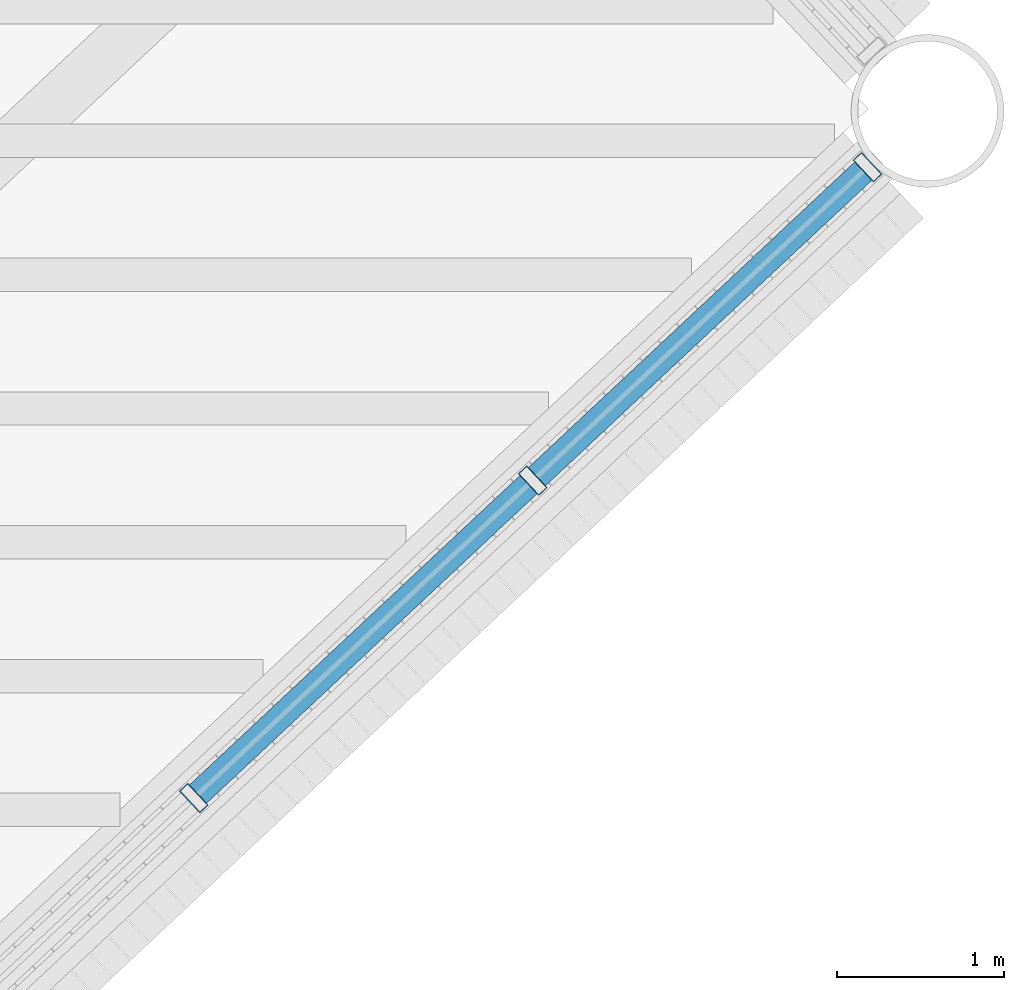
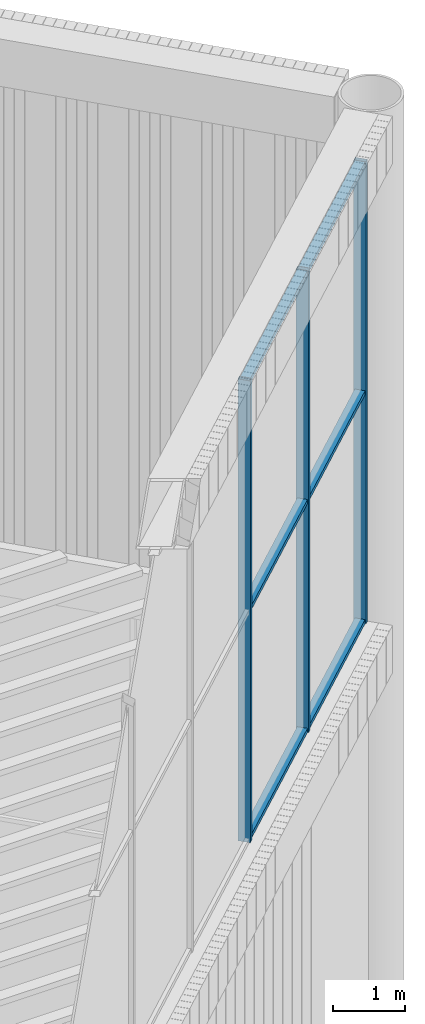
# One storey, part 67 of 117: 9 members, 1 element without a shape of its own.
"""IFC4 building model written with IfcOpenShell, lengths in metres."""

from ifc_helpers import new_model, si_unit, direction, frame, origin, origin_2d, place, context, subcontext, project, spatial, hollow_rectangle, extrude, material, layer, layer_set, material_profile, profile_set, type_object, element, aggregate, save


model = new_model("IFC4")

# Units and contexts
model_context = context("Model", 3, precision=1e-05, world=origin(), true_north=direction((0.0, 1.0)))
body_context = subcontext(model_context, "Body", "Model", "MODEL_VIEW")
ifc_project = project(units=[si_unit("LENGTHUNIT", "METRE"), si_unit("AREAUNIT", "SQUARE_METRE"), si_unit("VOLUMEUNIT", "CUBIC_METRE"), si_unit("PLANEANGLEUNIT", "RADIAN"), si_unit("MASSUNIT", "GRAM", prefix="KILO")], contexts=[model_context])

# Site, building, storey
site_placement = place(None, origin())
site = spatial("IfcSite", under=ifc_project, at=site_placement, CompositionType="ELEMENT")
building_placement = place(site_placement, origin())
building = spatial("IfcBuilding", under=site, at=building_placement, Name="Tarsis Ring Headquarters", CompositionType="ELEMENT")
storey_placement = place(building_placement, frame((0.0, 0.0, 403.60009765625)))
storey = spatial("IfcBuildingStorey", under=building, at=storey_placement, Name="L95", CompositionType="ELEMENT", Elevation=403.60009765625)

# Curtain wall, members
ifc_material_1 = material(Name="Aluminium curtain wall", Category="aluminium")
ifc_layer = layer(ifc_material_1, 0.179931640625)
ifc_layer_set = layer_set([ifc_layer], Name="Curtain wall crown glazing")
curtain_wall_type = type_object("IfcCurtainWallType", Name="Curtain wall crown glazing", PredefinedType="NOTDEFINED", material=ifc_layer_set)
curtain_wall_placement = place(storey_placement, origin())
curtain_wall = element("IfcCurtainWall", 1, at=curtain_wall_placement, inside=storey, type_object=curtain_wall_type, Name="Crown glazing U4", PredefinedType="NOTDEFINED")
ifc_material_2 = material(Name="Aluminium mullion", Category="aluminium")
ifc_material_profile_1 = material_profile(ifc_material_2, hollow_rectangle(XDim=0.179931640625, YDim=0.070068359375, WallThickness=0.0048828125, at=origin_2d()), Name="RHS 180x70x5")
ifc_profile_set_1 = profile_set([ifc_material_profile_1], Name="Aluminium mullion")
member_type_1 = type_object("IfcMemberType", Name="Crown glazing mullion RHS 180x70x5", PredefinedType="MULLION", material=ifc_profile_set_1)
member_1_placement = place(storey_placement, frame((30.201904296875, -19.39404296875, 14.39990234375), z_axis=(0.0, 0.0, 1.0), x_axis=(-0.683528517753, 0.729923807954, 0.0)))
member_1 = element("IfcMember", 2, at=member_1_placement, type_object=member_type_1, Name="CW-C mullion 4", PredefinedType="MULLION", context=body_context, shape_type="SweptSolid", body=[
    extrude(hollow_rectangle(XDim=0.179931640625, YDim=0.070068359375, WallThickness=0.0048828125, at=origin_2d()), origin(), (0.0, 0.0, 1.0), 7.800048828125),
])
member_2_placement = place(storey_placement, frame((32.22900390625, -17.495849609375, 14.39990234375), z_axis=(0.0, 0.0, 1.0), x_axis=(-0.683528517753, 0.729923807954, 0.0)))
member_2 = element("IfcMember", 3, at=member_2_placement, type_object=member_type_1, Name="CW-C mullion 5", PredefinedType="MULLION", context=body_context, shape_type="SweptSolid", body=[
    extrude(hollow_rectangle(XDim=0.179931640625, YDim=0.070068359375, WallThickness=0.0048828125, at=origin_2d()), origin(), (0.0, 0.0, 1.0), 7.800048828125),
])
member_3_placement = place(storey_placement, frame((34.23046875, -15.621337890625, 14.39990234375), z_axis=(0.0, 0.0, 1.0), x_axis=(-0.683528517753, 0.729923807954, 0.0)))
member_3 = element("IfcMember", 4, at=member_3_placement, type_object=member_type_1, Name="CW-C mullion 6", PredefinedType="MULLION", context=body_context, shape_type="SweptSolid", body=[
    extrude(hollow_rectangle(XDim=0.179931640625, YDim=0.070068359375, WallThickness=0.0048828125, at=origin_2d()), origin(), (0.0, 0.0, 1.0), 7.800048828125),
])
ifc_material_3 = material(Name="Aluminium transom", Category="aluminium")
ifc_material_profile_2 = material_profile(ifc_material_3, hollow_rectangle(XDim=0.14990234375, YDim=0.070068359375, WallThickness=0.0048828125, at=origin_2d()), Name="RHS 150x70x5")
ifc_profile_set_2 = profile_set([ifc_material_profile_2], Name="Aluminium transom")
member_type_2 = type_object("IfcMemberType", Name="Crown glazing transom RHS 150x70x5", PredefinedType="USERDEFINED", material=ifc_profile_set_2)
member_4_placement = place(storey_placement, frame((30.227294921875, -19.3701171875, 14.434814453125), z_axis=(0.729947680823, 0.683503023593, 0.0), x_axis=(-0.683503023593, 0.729947680823, 0.0)))
member_4 = element("IfcMember", 5, at=member_4_placement, type_object=member_type_2, Name="CW-C transom 4.1", ObjectType="TRANSOM", PredefinedType="USERDEFINED", context=body_context, shape_type="SweptSolid", body=[
    extrude(hollow_rectangle(XDim=0.14990234375, YDim=0.070068359375, WallThickness=0.0048828125, at=origin_2d()), origin(), (0.0, 0.0, 1.0), 2.70703125),
])
member_5_placement = place(storey_placement, frame((30.227294921875, -19.3701171875, 18.2998046875), z_axis=(0.729947680823, 0.683503023593, 0.0), x_axis=(-0.683503023593, 0.729947680823, 0.0)))
member_5 = element("IfcMember", 6, at=member_5_placement, type_object=member_type_2, Name="CW-C transom 4.2", ObjectType="TRANSOM", PredefinedType="USERDEFINED", context=body_context, shape_type="SweptSolid", body=[
    extrude(hollow_rectangle(XDim=0.14990234375, YDim=0.070068359375, WallThickness=0.0048828125, at=origin_2d()), origin(), (0.0, 0.0, 1.0), 2.70703125),
])
member_6_placement = place(storey_placement, frame((30.227294921875, -19.3701171875, 22.164794921875), z_axis=(0.729947680823, 0.683503023593, 0.0), x_axis=(-0.683503023593, 0.729947680823, 0.0)))
member_6 = element("IfcMember", 7, at=member_6_placement, type_object=member_type_2, Name="CW-C transom 4.3", ObjectType="TRANSOM", PredefinedType="USERDEFINED", context=body_context, shape_type="SweptSolid", body=[
    extrude(hollow_rectangle(XDim=0.14990234375, YDim=0.070068359375, WallThickness=0.0048828125, at=origin_2d()), origin(), (0.0, 0.0, 1.0), 2.70703125),
])
member_7_placement = place(storey_placement, frame((32.25439453125, -17.471923828125, 14.434814453125), z_axis=(0.729930235024, 0.683521654374, 0.0), x_axis=(-0.683521654374, 0.729930235024, 0.0)))
member_7 = element("IfcMember", 8, at=member_7_placement, type_object=member_type_2, Name="CW-C transom 5.1", ObjectType="TRANSOM", PredefinedType="USERDEFINED", context=body_context, shape_type="SweptSolid", body=[
    extrude(hollow_rectangle(XDim=0.14990234375, YDim=0.070068359375, WallThickness=0.0048828125, at=origin_2d()), origin(), (0.0, 0.0, 1.0), 2.67236328125),
])
member_8_placement = place(storey_placement, frame((32.25439453125, -17.471923828125, 18.2998046875), z_axis=(0.729930235024, 0.683521654374, 0.0), x_axis=(-0.683521654374, 0.729930235024, 0.0)))
member_8 = element("IfcMember", 9, at=member_8_placement, type_object=member_type_2, Name="CW-C transom 5.2", ObjectType="TRANSOM", PredefinedType="USERDEFINED", context=body_context, shape_type="SweptSolid", body=[
    extrude(hollow_rectangle(XDim=0.14990234375, YDim=0.070068359375, WallThickness=0.0048828125, at=origin_2d()), origin(), (0.0, 0.0, 1.0), 2.67236328125),
])
member_9_placement = place(storey_placement, frame((32.25439453125, -17.471923828125, 22.164794921875), z_axis=(0.729930235024, 0.683521654374, 0.0), x_axis=(-0.683521654374, 0.729930235024, 0.0)))
member_9 = element("IfcMember", 10, at=member_9_placement, type_object=member_type_2, Name="CW-C transom 5.3", ObjectType="TRANSOM", PredefinedType="USERDEFINED", context=body_context, shape_type="SweptSolid", body=[
    extrude(hollow_rectangle(XDim=0.14990234375, YDim=0.070068359375, WallThickness=0.0048828125, at=origin_2d()), origin(), (0.0, 0.0, 1.0), 2.67236328125),
])
aggregate(curtain_wall, [member_1, member_2, member_3, member_4, member_5, member_6, member_7, member_8, member_9])

save(model, "model.ifc")
